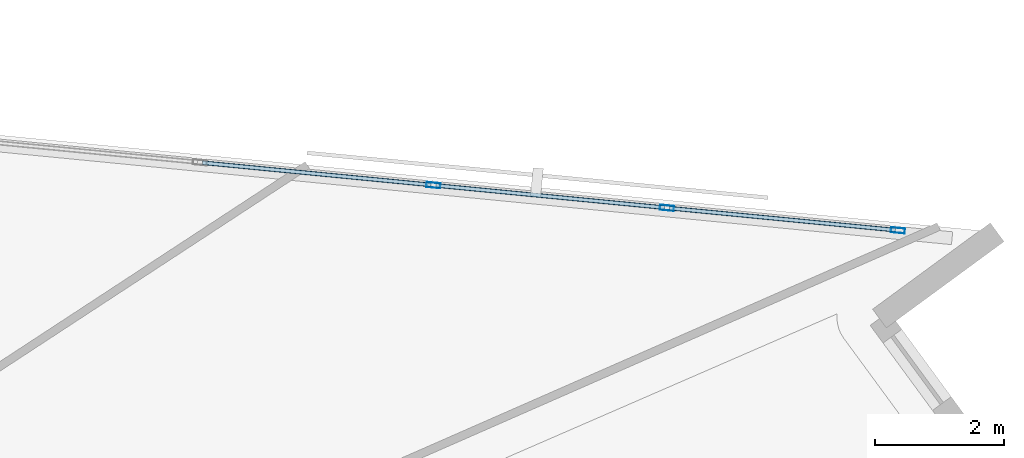
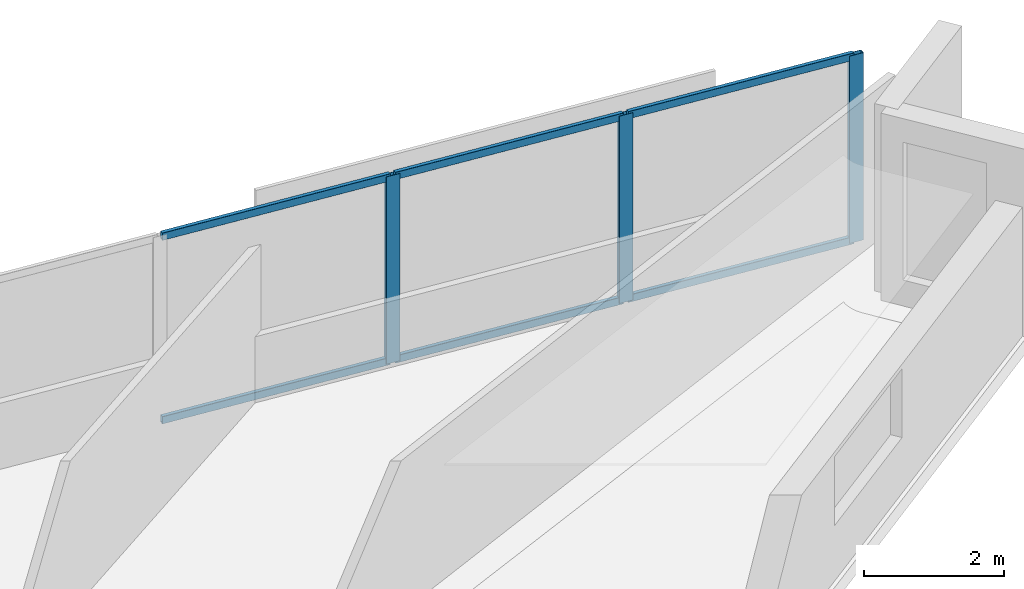
# One storey, part 6 of 14: 9 members, 1 element without a shape of its own.
"""IFC4 building model written with IfcOpenShell, lengths in metres."""

from ifc_helpers import new_model, si_unit, direction, frame, origin, origin_2d, place, context, subcontext, project, spatial, hollow_rectangle, extrude, material, material_profile, profile_set, type_object, element, aggregate, save


model = new_model("IFC4")

# Units and contexts
model_context = context("Model", 3, precision=1e-05, world=origin(), true_north=direction((0.0, 1.0)))
body_context = subcontext(model_context, "Body", "Model", "MODEL_VIEW")
ifc_project = project(units=[si_unit("LENGTHUNIT", "METRE"), si_unit("AREAUNIT", "SQUARE_METRE"), si_unit("VOLUMEUNIT", "CUBIC_METRE"), si_unit("PLANEANGLEUNIT", "RADIAN"), si_unit("MASSUNIT", "GRAM", prefix="KILO")], contexts=[model_context])

# Site, building, storey
site_placement = place(None, origin())
site = spatial("IfcSite", under=ifc_project, at=site_placement, CompositionType="ELEMENT")
building_placement = place(site_placement, origin())
building = spatial("IfcBuilding", under=site, at=building_placement, Name="Narakoshi Arena Tower", CompositionType="ELEMENT")
storey_placement = place(building_placement, frame((0.0, 0.0, 236.10009765625)))
storey = spatial("IfcBuildingStorey", under=building, at=storey_placement, Name="L64", CompositionType="ELEMENT", Elevation=236.10009765625)

# Curtain wall, members
ifc_material = material(Name="Anodised bronze aluminium 6063-T6", Category="aluminium")
curtain_wall_type = type_object("IfcCurtainWallType", Name="CW-HYP-HIGH", PredefinedType="NOTDEFINED", material=ifc_material)
curtain_wall_placement = place(storey_placement, origin())
curtain_wall = element("IfcCurtainWall", 1, at=curtain_wall_placement, inside=storey, type_object=curtain_wall_type, Name="L64 Folded Hypotenuse Curtain Wall 1-1", PredefinedType="NOTDEFINED")
ifc_material_profile_1 = material_profile(ifc_material, hollow_rectangle(XDim=0.080078125, YDim=0.219970703125, WallThickness=0.0048828125, OuterFilletRadius=0.006103515625, at=origin_2d()), Name="MUL220x80x5")
ifc_profile_set_1 = profile_set([ifc_material_profile_1], Name="Anodised bronze aluminium 6063-T6")
member_type_1 = type_object("IfcMemberType", Name="MEM-MUL-220", PredefinedType="MULLION", material=ifc_profile_set_1)
member_1_placement = place(storey_placement, frame((112.25048828125, 60.418701171875, 0.0), z_axis=(0.0, 0.0, 1.0), x_axis=(-0.096851320996, -0.995298860454, 0.0)))
member_1 = element("IfcMember", 2, at=member_1_placement, type_object=member_type_1, Name="CW-03 mullion 1", PredefinedType="MULLION", context=body_context, shape_type="SweptSolid", body=[
    extrude(hollow_rectangle(XDim=0.080078125, YDim=0.219970703125, WallThickness=0.0048828125, OuterFilletRadius=0.006103515625, at=origin_2d()), origin(), (0.0, 0.0, 1.0), 3.260009765625),
])
member_2_placement = place(storey_placement, frame((108.65869140625, 60.768310546875, 0.0), z_axis=(0.0, 0.0, 1.0), x_axis=(-0.096851320996, -0.995298860454, 0.0)))
member_2 = element("IfcMember", 3, at=member_2_placement, type_object=member_type_1, Name="CW-03 mullion 2", PredefinedType="MULLION", context=body_context, shape_type="SweptSolid", body=[
    extrude(hollow_rectangle(XDim=0.080078125, YDim=0.219970703125, WallThickness=0.0048828125, OuterFilletRadius=0.006103515625, at=origin_2d()), origin(), (0.0, 0.0, 1.0), 3.260009765625),
])
member_3_placement = place(storey_placement, frame((105.027099609375, 61.12158203125, 0.0), z_axis=(0.0, 0.0, 1.0), x_axis=(-0.096851320996, -0.995298860454, 0.0)))
member_3 = element("IfcMember", 4, at=member_3_placement, type_object=member_type_1, Name="CW-03 mullion 3", PredefinedType="MULLION", context=body_context, shape_type="SweptSolid", body=[
    extrude(hollow_rectangle(XDim=0.080078125, YDim=0.219970703125, WallThickness=0.0048828125, OuterFilletRadius=0.006103515625, at=origin_2d()), origin(), (0.0, 0.0, 1.0), 3.260009765625),
])
ifc_material_profile_2 = material_profile(ifc_material, hollow_rectangle(XDim=0.06494140625, YDim=0.1298828125, WallThickness=0.00390625, OuterFilletRadius=0.0048828125, at=origin_2d()), Name="TRN130x65x4")
ifc_profile_set_2 = profile_set([ifc_material_profile_2], Name="Anodised bronze aluminium 6063-T6")
member_type_2 = type_object("IfcMemberType", Name="MEM-TRN-130", PredefinedType="USERDEFINED", material=ifc_profile_set_2)
member_4_placement = place(storey_placement, frame((112.210693359375, 60.422607421875, 0.032470703125), z_axis=(-0.995298087829, 0.096859260598, 0.0), x_axis=(-0.096859260598, -0.995298087829, 0.0)))
member_4 = element("IfcMember", 5, at=member_4_placement, type_object=member_type_2, Name="CW-03 transom 1.1", ObjectType="TRANSOM", PredefinedType="USERDEFINED", context=body_context, shape_type="SweptSolid", body=[
    extrude(hollow_rectangle(XDim=0.06494140625, YDim=0.1298828125, WallThickness=0.00390625, OuterFilletRadius=0.0048828125, at=origin_2d()), origin(), (0.0, 0.0, 1.0), 3.52880859375),
])
member_5_placement = place(storey_placement, frame((112.210693359375, 60.422607421875, 3.227294921875), z_axis=(-0.995298087829, 0.096859260598, 0.0), x_axis=(-0.096859260598, -0.995298087829, 0.0)))
member_5 = element("IfcMember", 6, at=member_5_placement, type_object=member_type_2, Name="CW-03 transom 1.2", ObjectType="TRANSOM", PredefinedType="USERDEFINED", context=body_context, shape_type="SweptSolid", body=[
    extrude(hollow_rectangle(XDim=0.06494140625, YDim=0.1298828125, WallThickness=0.00390625, OuterFilletRadius=0.0048828125, at=origin_2d()), origin(), (0.0, 0.0, 1.0), 3.52880859375),
])
member_6_placement = place(storey_placement, frame((108.618896484375, 60.772216796875, 0.032470703125), z_axis=(-0.995303775278, 0.096800800194, 0.0), x_axis=(-0.096800800194, -0.995303775278, 0.0)))
member_6 = element("IfcMember", 7, at=member_6_placement, type_object=member_type_2, Name="CW-03 transom 2.1", ObjectType="TRANSOM", PredefinedType="USERDEFINED", context=body_context, shape_type="SweptSolid", body=[
    extrude(hollow_rectangle(XDim=0.06494140625, YDim=0.1298828125, WallThickness=0.00390625, OuterFilletRadius=0.0048828125, at=origin_2d()), origin(), (0.0, 0.0, 1.0), 3.56884765625),
])
member_7_placement = place(storey_placement, frame((108.618896484375, 60.772216796875, 3.227294921875), z_axis=(-0.995303775278, 0.096800800194, 0.0), x_axis=(-0.096800800194, -0.995303775278, 0.0)))
member_7 = element("IfcMember", 8, at=member_7_placement, type_object=member_type_2, Name="CW-03 transom 2.2", ObjectType="TRANSOM", PredefinedType="USERDEFINED", context=body_context, shape_type="SweptSolid", body=[
    extrude(hollow_rectangle(XDim=0.06494140625, YDim=0.1298828125, WallThickness=0.00390625, OuterFilletRadius=0.0048828125, at=origin_2d()), origin(), (0.0, 0.0, 1.0), 3.56884765625),
])
member_8_placement = place(storey_placement, frame((104.9873046875, 61.12548828125, 0.032470703125), z_axis=(-0.995297181926, 0.096868568947, 0.0), x_axis=(-0.096868568947, -0.995297181926, 0.0)))
member_8 = element("IfcMember", 9, at=member_8_placement, type_object=member_type_2, Name="CW-03 transom 3.1", ObjectType="TRANSOM", PredefinedType="USERDEFINED", context=body_context, shape_type="SweptSolid", body=[
    extrude(hollow_rectangle(XDim=0.06494140625, YDim=0.1298828125, WallThickness=0.00390625, OuterFilletRadius=0.0048828125, at=origin_2d()), origin(), (0.0, 0.0, 1.0), 3.56884765625),
])
member_9_placement = place(storey_placement, frame((104.9873046875, 61.12548828125, 3.227294921875), z_axis=(-0.995297181926, 0.096868568947, 0.0), x_axis=(-0.096868568947, -0.995297181926, 0.0)))
member_9 = element("IfcMember", 10, at=member_9_placement, type_object=member_type_2, Name="CW-03 transom 3.2", ObjectType="TRANSOM", PredefinedType="USERDEFINED", context=body_context, shape_type="SweptSolid", body=[
    extrude(hollow_rectangle(XDim=0.06494140625, YDim=0.1298828125, WallThickness=0.00390625, OuterFilletRadius=0.0048828125, at=origin_2d()), origin(), (0.0, 0.0, 1.0), 3.56884765625),
])
aggregate(curtain_wall, [member_1, member_2, member_3, member_4, member_5, member_6, member_7, member_8, member_9])

save(model, "model.ifc")
